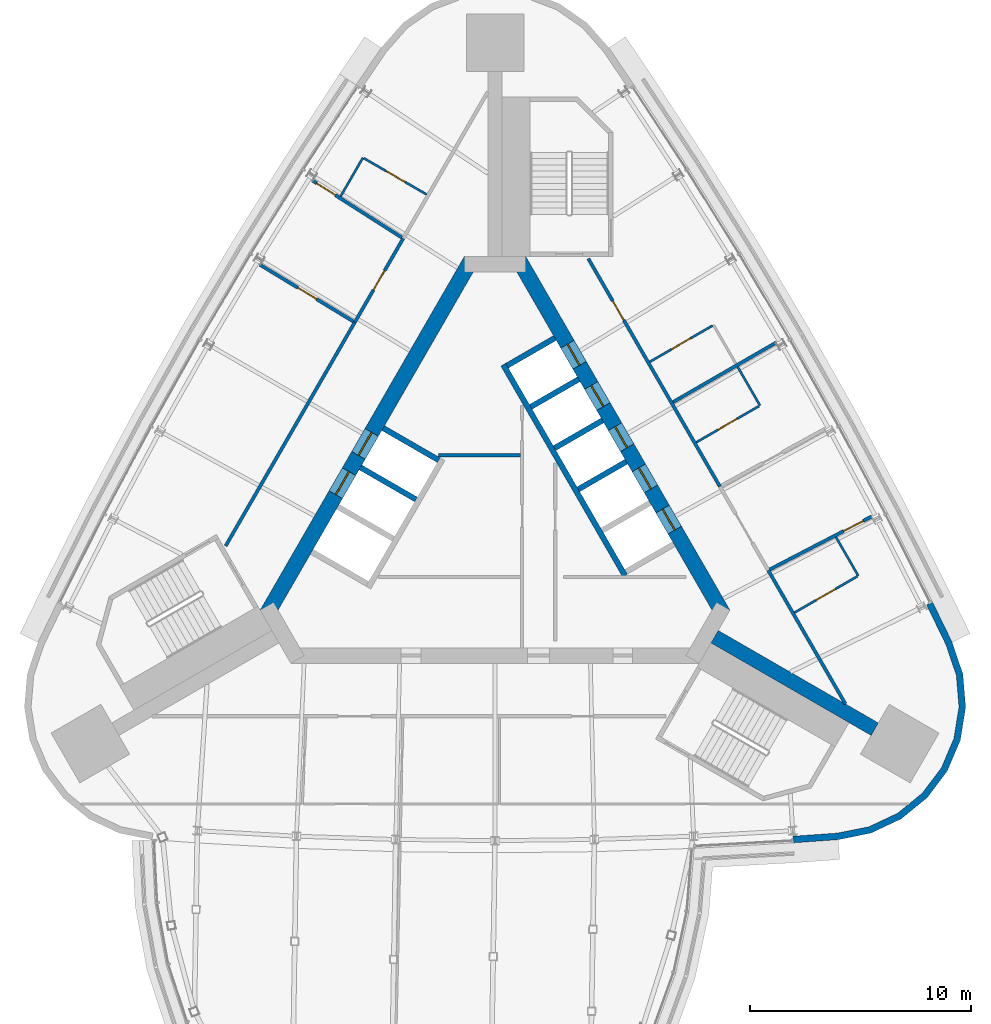
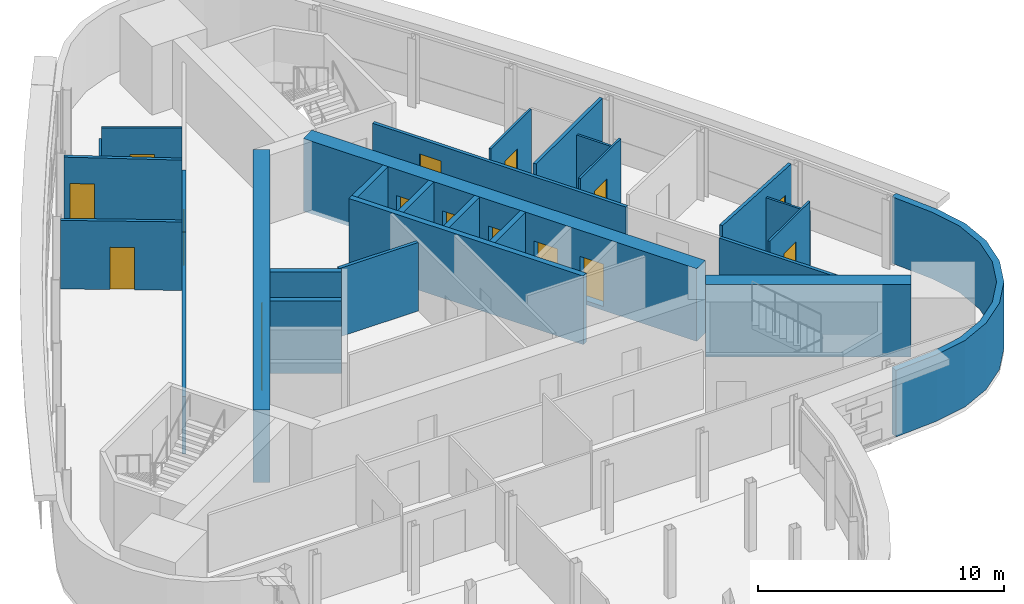
# One storey, part 10 of 14: 27 walls, 16 doors, 16 openings.
"""IFC4 building model written with IfcOpenShell, lengths in metres."""

from ifc_helpers import new_model, si_unit, direction, frame, frame_2d, origin, place, context, subcontext, project, spatial, polyline, rectangle, outline, extrude, material, layer, layer_set, type_object, element, fill, save


model = new_model("IFC4")

# Units and contexts
model_context = context("Model", 3, precision=1e-05, world=origin(), true_north=direction((0.0, 1.0)))
body_context = subcontext(model_context, "Body", "Model", "MODEL_VIEW")
ifc_project = project(units=[si_unit("LENGTHUNIT", "METRE"), si_unit("AREAUNIT", "SQUARE_METRE"), si_unit("VOLUMEUNIT", "CUBIC_METRE"), si_unit("PLANEANGLEUNIT", "RADIAN"), si_unit("MASSUNIT", "GRAM", prefix="KILO")], contexts=[model_context])

# Site, building, storey
site_placement = place(None, origin())
site = spatial("IfcSite", under=ifc_project, at=site_placement, CompositionType="ELEMENT")
building_placement = place(site_placement, origin())
building = spatial("IfcBuilding", under=site, at=building_placement, Name="Noor Cloister Tower", CompositionType="ELEMENT")
storey_placement = place(building_placement, frame((0.0, 0.0, 222.0)))
storey = spatial("IfcBuildingStorey", under=building, at=storey_placement, Name="L57", CompositionType="ELEMENT", Elevation=222.0)

# Walls
ifc_material_1 = material(Name="Concrete C60/75", Category="concrete")
ifc_layer_1 = layer(ifc_material_1, 0.64990234375)
ifc_layer_set_1 = layer_set([ifc_layer_1], Name="Buttress wall 650 C60/75")
wall_type_1 = type_object("IfcWallType", Name="Buttress wall 650 C60/75", PredefinedType="SHEAR", material=ifc_layer_set_1)
wall_1_placement = place(storey_placement, frame((9.921630859375, -5.728271484375, -0.199951171875), z_axis=(0.0, 0.0, 1.0), x_axis=(0.866030911543, -0.499990460161, 0.0)))
element("IfcWall", 1, at=wall_1_placement, inside=storey, type_object=wall_type_1, Name="Buttress wall SE L57", PredefinedType="SHEAR", context=body_context, shape_type="SweptSolid", body=[
    extrude(rectangle(XDim=8.358642578125, YDim=0.64990234375, at=frame_2d((4.17919921875, 0.0))), origin(), (0.0, 0.0, 1.0), 3.599853515625),
])
ifc_material_2 = material(Name="Concrete C30/37", Category="concrete")
ifc_layer_2 = layer(ifc_material_2, 0.14990234375)
ifc_layer_set_2 = layer_set([ifc_layer_2], Name="Core partition 150 C30/37")
wall_type_2 = type_object("IfcWallType", Name="Core partition 150 C30/37", PredefinedType="PARTITIONING", material=ifc_layer_set_2)
wall_2_placement = place(storey_placement, frame((-2.55126953125, 2.4716796875, 0.0), z_axis=(0.0, 0.0, 1.0), x_axis=(1.0, 0.0, 0.0)))
element("IfcWall", 2, at=wall_2_placement, inside=storey, type_object=wall_type_2, Name="Core room partition L57 2", PredefinedType="PARTITIONING", context=body_context, shape_type="SweptSolid", body=[
    extrude(rectangle(XDim=3.697509765625, YDim=0.14990234375, at=frame_2d((1.8486328125, 0.0))), origin(), (0.0, 0.0, 1.0), 3.39990234375),
])

# Wall, openings, doors
ifc_material_3 = material(Name="Concrete C60/75", Category="concrete")
ifc_layer_3 = layer(ifc_material_3, 0.699951171875)
ifc_layer_set_3 = layer_set([ifc_layer_3], Name="Core wall 700 C60/75")
wall_type_3 = type_object("IfcWallType", Name="Core wall 700 C60/75", PredefinedType="SHEAR", material=ifc_layer_set_3)
wall_3_placement = place(storey_placement, frame((10.311279296875, -4.703125, -0.199951171875), z_axis=(0.0, 0.0, 1.0), x_axis=(-0.500001446645, 0.866024568562, 0.0)))
wall_3 = element("IfcWall", 3, at=wall_3_placement, inside=storey, type_object=wall_type_3, Name="Core wall L57 3", PredefinedType="SHEAR", context=body_context, shape_type="SweptSolid", body=[
    extrude(rectangle(XDim=18.45751953125, YDim=0.699951171875, at=frame_2d((9.228759765625, 0.0))), origin(), (0.0, 0.0, 1.0), 3.599853515625),
])
opening_1_placement = place(wall_3_placement, frame((4.378662109375, 0.0, 0.199951171875)))
opening_1 = element("IfcOpeningElement", 4, at=opening_1_placement, cuts=wall_3, Name="Opening L57-HR1", PredefinedType="OPENING", context=body_context, shape_type="SweptSolid", body=[
    extrude(rectangle(XDim=1.10009765625, YDim=2.10009765625, at=frame_2d((0.550048828125, 1.050048828125))), frame((0.0, 0.35986328125, 0.0), z_axis=(0.0, -1.0, 0.0), x_axis=(1.0, 0.0, 0.0)), (0.0, 0.0, 1.0), 0.719970703125),
])
opening_2_placement = place(wall_3_placement, frame((6.52880859375, 0.0, 0.199951171875)))
opening_2 = element("IfcOpeningElement", 5, at=opening_2_placement, cuts=wall_3, Name="Opening L57-HR2", PredefinedType="OPENING", context=body_context, shape_type="SweptSolid", body=[
    extrude(rectangle(XDim=1.10009765625, YDim=2.10009765625, at=frame_2d((0.550048828125, 1.050048828125))), frame((0.0, 0.35986328125, 0.0), z_axis=(0.0, -1.0, 0.0), x_axis=(1.0, 0.0, 0.0)), (0.0, 0.0, 1.0), 0.719970703125),
])
opening_3_placement = place(wall_3_placement, frame((8.6787109375, 0.0, 0.199951171875)))
opening_3 = element("IfcOpeningElement", 6, at=opening_3_placement, cuts=wall_3, Name="Opening L57-HR3", PredefinedType="OPENING", context=body_context, shape_type="SweptSolid", body=[
    extrude(rectangle(XDim=1.10009765625, YDim=2.10009765625, at=frame_2d((0.550048828125, 1.050048828125))), frame((0.0, 0.35986328125, 0.0), z_axis=(0.0, -1.0, 0.0), x_axis=(1.0, 0.0, 0.0)), (0.0, 0.0, 1.0), 0.719970703125),
])
opening_4_placement = place(wall_3_placement, frame((10.82861328125, 0.0, 0.199951171875)))
opening_4 = element("IfcOpeningElement", 7, at=opening_4_placement, cuts=wall_3, Name="Opening L57-HR4", PredefinedType="OPENING", context=body_context, shape_type="SweptSolid", body=[
    extrude(rectangle(XDim=1.10009765625, YDim=2.10009765625, at=frame_2d((0.550048828125, 1.050048828125))), frame((0.0, 0.35986328125, 0.0), z_axis=(0.0, -1.0, 0.0), x_axis=(1.0, 0.0, 0.0)), (0.0, 0.0, 1.0), 0.719970703125),
])
opening_5_placement = place(wall_3_placement, frame((12.978759765625, 0.0, 0.199951171875)))
opening_5 = element("IfcOpeningElement", 8, at=opening_5_placement, cuts=wall_3, Name="Opening L57-HR5", PredefinedType="OPENING", context=body_context, shape_type="SweptSolid", body=[
    extrude(rectangle(XDim=1.10009765625, YDim=2.10009765625, at=frame_2d((0.550048828125, 1.050048828125))), frame((0.0, 0.35986328125, 0.0), z_axis=(0.0, -1.0, 0.0), x_axis=(1.0, 0.0, 0.0)), (0.0, 0.0, 1.0), 0.719970703125),
])
ifc_material_4 = material(Name="Stainless steel", Category="steel")
door_type_1 = type_object("IfcDoorType", Name="Lift landing door 1100 x 2100", OperationType="DOUBLE_DOOR_SLIDING", PredefinedType="DOOR", material=ifc_material_4)
door_1_placement = place(opening_1_placement, origin())
door_1 = element("IfcDoor", 9, at=door_1_placement, inside=storey, type_object=door_type_1, Name="Landing door HR1 L57", OperationType="DOUBLE_DOOR_SLIDING", OverallHeight=2.10009765625, OverallWidth=1.10009765625, PredefinedType="DOOR", context=body_context, shape_type="SweptSolid", body=[
    extrude(rectangle(XDim=1.10009765625, YDim=2.10009765625, at=frame_2d((0.550048828125, 1.050048828125))), frame((0.0, 0.02490234375, 0.0), z_axis=(0.0, -1.0, 0.0), x_axis=(1.0, 0.0, 0.0)), (0.0, 0.0, 1.0), 0.050048828125),
])
fill(opening_1, door_1)
door_2_placement = place(opening_2_placement, origin())
door_2 = element("IfcDoor", 10, at=door_2_placement, inside=storey, type_object=door_type_1, Name="Landing door HR2 L57", OperationType="DOUBLE_DOOR_SLIDING", OverallHeight=2.10009765625, OverallWidth=1.10009765625, PredefinedType="DOOR", context=body_context, shape_type="SweptSolid", body=[
    extrude(rectangle(XDim=1.10009765625, YDim=2.10009765625, at=frame_2d((0.550048828125, 1.050048828125))), frame((0.0, 0.02490234375, 0.0), z_axis=(0.0, -1.0, 0.0), x_axis=(1.0, 0.0, 0.0)), (0.0, 0.0, 1.0), 0.050048828125),
])
fill(opening_2, door_2)
door_3_placement = place(opening_3_placement, origin())
door_3 = element("IfcDoor", 11, at=door_3_placement, inside=storey, type_object=door_type_1, Name="Landing door HR3 L57", OperationType="DOUBLE_DOOR_SLIDING", OverallHeight=2.10009765625, OverallWidth=1.10009765625, PredefinedType="DOOR", context=body_context, shape_type="SweptSolid", body=[
    extrude(rectangle(XDim=1.10009765625, YDim=2.10009765625, at=frame_2d((0.550048828125, 1.050048828125))), frame((0.0, 0.02490234375, 0.0), z_axis=(0.0, -1.0, 0.0), x_axis=(1.0, 0.0, 0.0)), (0.0, 0.0, 1.0), 0.050048828125),
])
fill(opening_3, door_3)
door_4_placement = place(opening_4_placement, origin())
door_4 = element("IfcDoor", 12, at=door_4_placement, inside=storey, type_object=door_type_1, Name="Landing door HR4 L57", OperationType="DOUBLE_DOOR_SLIDING", OverallHeight=2.10009765625, OverallWidth=1.10009765625, PredefinedType="DOOR", context=body_context, shape_type="SweptSolid", body=[
    extrude(rectangle(XDim=1.10009765625, YDim=2.10009765625, at=frame_2d((0.550048828125, 1.050048828125))), frame((0.0, 0.02490234375, 0.0), z_axis=(0.0, -1.0, 0.0), x_axis=(1.0, 0.0, 0.0)), (0.0, 0.0, 1.0), 0.050048828125),
])
fill(opening_4, door_4)
door_5_placement = place(opening_5_placement, origin())
door_5 = element("IfcDoor", 13, at=door_5_placement, inside=storey, type_object=door_type_1, Name="Landing door HR5 L57", OperationType="DOUBLE_DOOR_SLIDING", OverallHeight=2.10009765625, OverallWidth=1.10009765625, PredefinedType="DOOR", context=body_context, shape_type="SweptSolid", body=[
    extrude(rectangle(XDim=1.10009765625, YDim=2.10009765625, at=frame_2d((0.550048828125, 1.050048828125))), frame((0.0, 0.02490234375, 0.0), z_axis=(0.0, -1.0, 0.0), x_axis=(1.0, 0.0, 0.0)), (0.0, 0.0, 1.0), 0.050048828125),
])
fill(opening_5, door_5)

wall_4_placement = place(storey_placement, frame((-1.08251953125, 11.281494140625, -0.199951171875), z_axis=(0.0, 0.0, 1.0), x_axis=(-0.500001446645, -0.866024568562, 0.0)))
wall_4 = element("IfcWall", 14, at=wall_4_placement, inside=storey, type_object=wall_type_3, Name="Core wall L57 5", PredefinedType="SHEAR", context=body_context, shape_type="SweptSolid", body=[
    extrude(rectangle(XDim=18.45751953125, YDim=0.699951171875, at=frame_2d((9.228759765625, 0.0))), origin(), (0.0, 0.0, 1.0), 3.599853515625),
])
opening_6_placement = place(wall_4_placement, frame((8.978759765625, 0.0, 0.199951171875)))
opening_6 = element("IfcOpeningElement", 15, at=opening_6_placement, cuts=wall_4, Name="Opening L57-FF1", PredefinedType="OPENING", context=body_context, shape_type="SweptSolid", body=[
    extrude(rectangle(XDim=1.199951171875, YDim=2.10009765625, at=frame_2d((0.60009765625, 1.050048828125))), frame((0.0, 0.35986328125, 0.0), z_axis=(0.0, -1.0, 0.0), x_axis=(1.0, 0.0, 0.0)), (0.0, 0.0, 1.0), 0.719970703125),
])
opening_7_placement = place(wall_4_placement, frame((11.02880859375, 0.0, 0.199951171875)))
opening_7 = element("IfcOpeningElement", 16, at=opening_7_placement, cuts=wall_4, Name="Opening L57-FF2", PredefinedType="OPENING", context=body_context, shape_type="SweptSolid", body=[
    extrude(rectangle(XDim=1.199951171875, YDim=2.10009765625, at=frame_2d((0.60009765625, 1.050048828125))), frame((0.0, 0.35986328125, 0.0), z_axis=(0.0, -1.0, 0.0), x_axis=(1.0, 0.0, 0.0)), (0.0, 0.0, 1.0), 0.719970703125),
])
ifc_material_5 = material(Name="Stainless steel", Category="steel")
door_type_2 = type_object("IfcDoorType", Name="Lift landing door 1200 x 2100", OperationType="DOUBLE_DOOR_SLIDING", PredefinedType="DOOR", material=ifc_material_5)
door_6_placement = place(opening_6_placement, origin())
door_6 = element("IfcDoor", 17, at=door_6_placement, inside=storey, type_object=door_type_2, Name="Landing door FF1 L57", OperationType="DOUBLE_DOOR_SLIDING", OverallHeight=2.10009765625, OverallWidth=1.199951171875, PredefinedType="DOOR", context=body_context, shape_type="SweptSolid", body=[
    extrude(rectangle(XDim=1.199951171875, YDim=2.10009765625, at=frame_2d((0.60009765625, 1.050048828125))), frame((0.0, 0.02490234375, 0.0), z_axis=(0.0, -1.0, 0.0), x_axis=(1.0, 0.0, 0.0)), (0.0, 0.0, 1.0), 0.050048828125),
])
fill(opening_6, door_6)
door_7_placement = place(opening_7_placement, origin())
door_7 = element("IfcDoor", 18, at=door_7_placement, inside=storey, type_object=door_type_2, Name="Landing door FF2 L57", OperationType="DOUBLE_DOOR_SLIDING", OverallHeight=2.10009765625, OverallWidth=1.199951171875, PredefinedType="DOOR", context=body_context, shape_type="SweptSolid", body=[
    extrude(rectangle(XDim=1.199951171875, YDim=2.10009765625, at=frame_2d((0.60009765625, 1.050048828125))), frame((0.0, 0.02490234375, 0.0), z_axis=(0.0, -1.0, 0.0), x_axis=(1.0, 0.0, 0.0)), (0.0, 0.0, 1.0), 0.050048828125),
])
fill(opening_7, door_7)

# Wall
ifc_material_6 = material(Name="Fire-rated gypsum board partition on steel studs, 150 mm", Category="steel")
ifc_layer_4 = layer(ifc_material_6, 0.14990234375)
ifc_layer_set_4 = layer_set([ifc_layer_4], Name="Fire lobby wall 150")
wall_type_4 = type_object("IfcWallType", Name="Fire lobby wall 150", PredefinedType="PARTITIONING", material=ifc_layer_set_4)
wall_5_placement = place(storey_placement, frame((-6.33837890625, 8.47802734375, 0.0), z_axis=(0.0, 0.0, 1.0), x_axis=(-0.499993497815, -0.86602915779, 0.0)))
element("IfcWall", 19, at=wall_5_placement, inside=storey, type_object=wall_type_4, Name="Wall L57-W22", PredefinedType="PARTITIONING", context=body_context, shape_type="SweptSolid", body=[
    extrude(rectangle(XDim=11.669677734375, YDim=0.14990234375, at=frame_2d((5.8349609375, 0.0))), origin(), (0.0, 0.0, 1.0), 2.85205078125),
])

# Wall, opening, door
wall_6_placement = place(storey_placement, frame((-4.149658203125, 12.26904296875, 0.0), z_axis=(0.0, 0.0, 1.0), x_axis=(-0.499996027077, -0.86602769754, 0.0)))
wall_6 = element("IfcWall", 20, at=wall_6_placement, inside=storey, type_object=wall_type_4, Name="Wall L57-W25", PredefinedType="PARTITIONING", context=body_context, shape_type="SweptSolid", body=[
    extrude(rectangle(XDim=4.37744140625, YDim=0.14990234375, at=frame_2d((2.188720703125, 0.0))), origin(), (0.0, 0.0, 1.0), 2.85205078125),
])
opening_8_placement = place(wall_6_placement, frame((1.688720703125, 0.0, 0.0)))
opening_8 = element("IfcOpeningElement", 21, at=opening_8_placement, cuts=wall_6, Name="Opening L57-014", PredefinedType="OPENING", context=body_context, shape_type="SweptSolid", body=[
    extrude(rectangle(XDim=1.0, YDim=2.10009765625, at=frame_2d((0.5, 1.050048828125))), frame((0.0, 0.0849609375, 0.0), z_axis=(0.0, -1.0, 0.0), x_axis=(1.0, 0.0, 0.0)), (0.0, 0.0, 1.0), 0.169921875),
])
ifc_material_7 = material(Name="Timber door leaf with steel frame", Category="steel")
door_type_3 = type_object("IfcDoorType", Name="Fire lobby door 1000", OperationType="NOTDEFINED", PredefinedType="DOOR", material=ifc_material_7)
door_8_placement = place(opening_8_placement, origin())
door_8 = element("IfcDoor", 22, at=door_8_placement, inside=storey, type_object=door_type_3, Name="Door L57-014", OperationType="SINGLE_SWING_RIGHT", OverallHeight=2.10009765625, OverallWidth=1.0, PredefinedType="DOOR", context=body_context, shape_type="SweptSolid", body=[
    extrude(rectangle(XDim=1.0, YDim=2.10009765625, at=frame_2d((0.5, 1.050048828125))), frame((0.0, 0.02490234375, 0.0), z_axis=(0.0, -1.0, 0.0), x_axis=(1.0, 0.0, 0.0)), (0.0, 0.0, 1.0), 0.050048828125),
])
fill(opening_8, door_8)

# Wall
ifc_material_8 = material(Name="Gypsum board partition on steel studs, 150 mm", Category="steel")
ifc_layer_5 = layer(ifc_material_8, 0.14990234375)
ifc_layer_set_5 = layer_set([ifc_layer_5], Name="Flat wall 150")
wall_type_5 = type_object("IfcWallType", Name="Flat wall 150", PredefinedType="PARTITIONING", material=ifc_layer_set_5)
wall_7_placement = place(storey_placement, frame((15.83203125, -8.765380859375, 0.0), z_axis=(0.0, 0.0, 1.0), x_axis=(-0.500009302692, 0.866020032806, 0.0)))
element("IfcWall", 23, at=wall_7_placement, inside=storey, type_object=wall_type_5, Name="Wall L57-W01", PredefinedType="PARTITIONING", context=body_context, shape_type="SweptSolid", body=[
    extrude(rectangle(XDim=6.974365234375, YDim=0.14990234375, at=frame_2d((3.4873046875, 0.0))), origin(), (0.0, 0.0, 1.0), 2.85205078125),
])

# Wall, opening, door
wall_8_placement = place(storey_placement, frame((10.16064453125, 1.0576171875, 0.0), z_axis=(0.0, 0.0, 1.0), x_axis=(-0.500000866012, 0.866024903792, 0.0)))
wall_8 = element("IfcWall", 24, at=wall_8_placement, inside=storey, type_object=wall_type_5, Name="Wall L57-W02", PredefinedType="PARTITIONING", context=body_context, shape_type="SweptSolid", body=[
    extrude(rectangle(XDim=11.89208984375, YDim=0.14990234375, at=frame_2d((5.946044921875, 0.0))), origin(), (0.0, 0.0, 1.0), 2.85205078125),
])
opening_9_placement = place(wall_8_placement, frame((8.677978515625, 0.0, 0.0)))
opening_9 = element("IfcOpeningElement", 25, at=opening_9_placement, cuts=wall_8, Name="Opening L57-007", PredefinedType="OPENING", context=body_context, shape_type="SweptSolid", body=[
    extrude(rectangle(XDim=1.0, YDim=2.10009765625, at=frame_2d((0.5, 1.050048828125))), frame((0.0, 0.0849609375, 0.0), z_axis=(0.0, -1.0, 0.0), x_axis=(1.0, 0.0, 0.0)), (0.0, 0.0, 1.0), 0.169921875),
])
ifc_material_9 = material(Name="Timber door leaf with steel frame", Category="steel")
door_type_4 = type_object("IfcDoorType", Name="Flat entrance door 1000", OperationType="NOTDEFINED", PredefinedType="DOOR", material=ifc_material_9)
door_9_placement = place(opening_9_placement, origin())
door_9 = element("IfcDoor", 26, at=door_9_placement, inside=storey, type_object=door_type_4, Name="Door L57-007", OperationType="SINGLE_SWING_LEFT", OverallHeight=2.10009765625, OverallWidth=1.0, PredefinedType="DOOR", context=body_context, shape_type="SweptSolid", body=[
    extrude(rectangle(XDim=1.0, YDim=2.10009765625, at=frame_2d((0.5, 1.050048828125))), frame((0.0, 0.02490234375, 0.0), z_axis=(0.0, -1.0, 0.0), x_axis=(1.0, 0.0, 0.0)), (0.0, 0.0, 1.0), 0.050048828125),
])
fill(opening_9, door_9)

wall_9_placement = place(storey_placement, frame((17.02587890625, -0.29248046875, 0.0), z_axis=(0.0, 0.0, 1.0), x_axis=(-0.887303639302, -0.461185701947, 0.0)))
wall_9 = element("IfcWall", 27, at=wall_9_placement, inside=storey, type_object=wall_type_5, Name="Wall L57-W03", PredefinedType="PARTITIONING", context=body_context, shape_type="SweptSolid", body=[
    extrude(rectangle(XDim=5.20068359375, YDim=0.14990234375, at=frame_2d((2.600341796875, 0.0))), origin(), (0.0, 0.0, 1.0), 3.39990234375),
])
opening_10_placement = place(wall_9_placement, frame((0.43603515625, 0.0, 0.0)))
opening_10 = element("IfcOpeningElement", 28, at=opening_10_placement, cuts=wall_9, Name="Opening L57-003", PredefinedType="OPENING", context=body_context, shape_type="SweptSolid", body=[
    extrude(rectangle(XDim=1.0, YDim=2.10009765625, at=frame_2d((0.5, 1.050048828125))), frame((0.0, 0.0849609375, 0.0), z_axis=(0.0, -1.0, 0.0), x_axis=(1.0, 0.0, 0.0)), (0.0, 0.0, 1.0), 0.169921875),
])
door_10_placement = place(opening_10_placement, origin())
door_10 = element("IfcDoor", 29, at=door_10_placement, inside=storey, type_object=door_type_4, Name="Door L57-003", OperationType="SINGLE_SWING_LEFT", OverallHeight=2.10009765625, OverallWidth=1.0, PredefinedType="DOOR", context=body_context, shape_type="SweptSolid", body=[
    extrude(rectangle(XDim=1.0, YDim=2.10009765625, at=frame_2d((0.5, 1.050048828125))), frame((0.0, 0.02490234375, 0.0), z_axis=(0.0, -1.0, 0.0), x_axis=(1.0, 0.0, 0.0)), (0.0, 0.0, 1.0), 0.050048828125),
])
fill(opening_10, door_10)

# Wall
wall_10_placement = place(storey_placement, frame((12.70703125, 7.5673828125, 0.0), z_axis=(0.0, 0.0, 1.0), x_axis=(-0.866016468327, -0.500015476347, 0.0)))
element("IfcWall", 30, at=wall_10_placement, inside=storey, type_object=wall_type_5, Name="Wall L57-W10", PredefinedType="PARTITIONING", context=body_context, shape_type="SweptSolid", body=[
    extrude(rectangle(XDim=5.385009765625, YDim=0.14990234375, at=frame_2d((2.6923828125, 0.0))), origin(), (0.0, 0.0, 1.0), 3.39990234375),
])

# Wall, opening, door
wall_11_placement = place(storey_placement, frame((-8.259765625, 14.89111328125, 0.0), z_axis=(0.0, 0.0, 1.0), x_axis=(0.843047331612, -0.537839378125, 0.0)))
wall_11 = element("IfcWall", 31, at=wall_11_placement, inside=storey, type_object=wall_type_5, Name="Wall L57-W23", PredefinedType="PARTITIONING", context=body_context, shape_type="SweptSolid", body=[
    extrude(rectangle(XDim=4.80029296875, YDim=0.14990234375, at=frame_2d((2.400146484375, 0.0))), origin(), (0.0, 0.0, 1.0), 3.39990234375),
])
opening_11_placement = place(wall_11_placement, frame((0.23583984375, 0.0, 0.0)))
opening_11 = element("IfcOpeningElement", 32, at=opening_11_placement, cuts=wall_11, Name="Opening L57-016", PredefinedType="OPENING", context=body_context, shape_type="SweptSolid", body=[
    extrude(rectangle(XDim=1.0, YDim=2.10009765625, at=frame_2d((0.5, 1.050048828125))), frame((0.0, 0.0849609375, 0.0), z_axis=(0.0, -1.0, 0.0), x_axis=(1.0, 0.0, 0.0)), (0.0, 0.0, 1.0), 0.169921875),
])
door_11_placement = place(opening_11_placement, origin())
door_11 = element("IfcDoor", 33, at=door_11_placement, inside=storey, type_object=door_type_4, Name="Door L57-016", OperationType="SINGLE_SWING_RIGHT", OverallHeight=2.10009765625, OverallWidth=1.0, PredefinedType="DOOR", context=body_context, shape_type="SweptSolid", body=[
    extrude(rectangle(XDim=1.0, YDim=2.10009765625, at=frame_2d((0.5, 1.050048828125))), frame((0.0, 0.02490234375, 0.0), z_axis=(0.0, -1.0, 0.0), x_axis=(1.0, 0.0, 0.0)), (0.0, 0.0, 1.0), 0.050048828125),
])
fill(opening_11, door_11)

wall_12_placement = place(storey_placement, frame((-10.625732421875, 11.081787109375, 0.0), z_axis=(0.0, 0.0, 1.0), x_axis=(0.854742891139, -0.519051625609, 0.0)))
wall_12 = element("IfcWall", 34, at=wall_12_placement, inside=storey, type_object=wall_type_5, Name="Wall L57-W24", PredefinedType="PARTITIONING", context=body_context, shape_type="SweptSolid", body=[
    extrude(rectangle(XDim=4.941162109375, YDim=0.14990234375, at=frame_2d((2.470703125, 0.0))), origin(), (0.0, 0.0, 1.0), 3.39990234375),
])
opening_12_placement = place(wall_12_placement, frame((2.008056640625, 0.0, 0.0)))
opening_12 = element("IfcOpeningElement", 35, at=opening_12_placement, cuts=wall_12, Name="Opening L57-017", PredefinedType="OPENING", context=body_context, shape_type="SweptSolid", body=[
    extrude(rectangle(XDim=1.0, YDim=2.10009765625, at=frame_2d((0.5, 1.050048828125))), frame((0.0, 0.0849609375, 0.0), z_axis=(0.0, -1.0, 0.0), x_axis=(1.0, 0.0, 0.0)), (0.0, 0.0, 1.0), 0.169921875),
])
ifc_material_10 = material(Name="Timber door leaf with steel frame", Category="steel")
door_type_5 = type_object("IfcDoorType", Name="Interior door 1000 FD60", OperationType="NOTDEFINED", PredefinedType="DOOR", material=ifc_material_10)
door_12_placement = place(opening_12_placement, origin())
door_12 = element("IfcDoor", 36, at=door_12_placement, inside=storey, type_object=door_type_5, Name="Door L57-017", OperationType="SINGLE_SWING_LEFT", OverallHeight=2.10009765625, OverallWidth=1.0, PredefinedType="DOOR", context=body_context, shape_type="SweptSolid", body=[
    extrude(rectangle(XDim=1.0, YDim=2.10009765625, at=frame_2d((0.5, 1.050048828125))), frame((0.0, 0.02490234375, 0.0), z_axis=(0.0, -1.0, 0.0), x_axis=(1.0, 0.0, 0.0)), (0.0, 0.0, 1.0), 0.050048828125),
])
fill(opening_12, door_12)

# Walls
ifc_material_11 = material(Name="Limestone", Category="masonry")
ifc_layer_6 = layer(ifc_material_11, 0.300048828125)
ifc_layer_set_6 = layer_set([ifc_layer_6], Name="Limestone cladding 300")
wall_type_6 = type_object("IfcWallType", Name="Limestone cladding 300", PredefinedType="NOTDEFINED", material=ifc_layer_set_6)
wall_13_placement = place(storey_placement, origin())
element("IfcWall", 37, at=wall_13_placement, inside=storey, type_object=wall_type_6, Name="Limestone pier cladding L57 2.1", PredefinedType="NOTDEFINED", context=body_context, shape_type="SweptSolid", body=[
    extrude(outline(polyline([(13.489990234375, -15.04248046875), (15.50732421875, -14.898193359375), (16.988037109375, -14.6015625), (18.354248046875, -13.957763671875), (19.52587890625, -13.00439453125), (20.433837890625, -11.79736328125), (21.02490234375, -10.40771484375), (21.264892578125, -8.91650390625), (21.139404296875, -7.411376953125), (20.65576171875, -5.98046875), (19.772216796875, -4.16162109375), (19.50244140625, -4.292724609375), (20.377685546875, -6.094482421875), (20.843505859375, -7.47265625), (20.962890625, -8.905029296875), (20.734619140625, -10.323974609375), (20.171875, -11.646240234375), (19.30810546875, -12.794677734375), (18.193359375, -13.701904296875), (16.893310546875, -14.314697265625), (15.467041015625, -14.600341796875), (13.46875, -14.7431640625), (13.489990234375, -15.04248046875)])), origin(), (0.0, 0.0, 1.0), 3.300048828125),
])
ifc_material_12 = material(Name="Gypsum board partition on steel studs, 100 mm", Category="steel")
ifc_layer_7 = layer(ifc_material_12, 0.10009765625)
ifc_layer_set_7 = layer_set([ifc_layer_7], Name="Partition 100")
wall_type_7 = type_object("IfcWallType", Name="Partition 100", PredefinedType="PARTITIONING", material=ifc_layer_set_7)
wall_14_placement = place(storey_placement, frame((15.402099609375, -1.220947265625, 0.0), z_axis=(0.0, 0.0, 1.0), x_axis=(0.499990325971, -0.866030989016, 0.0)))
element("IfcWall", 38, at=wall_14_placement, inside=storey, type_object=wall_type_7, Name="Wall L57-W06", PredefinedType="PARTITIONING", context=body_context, shape_type="SweptSolid", body=[
    extrude(rectangle(XDim=2.02490234375, YDim=0.10009765625, at=frame_2d((1.012451171875, 0.0))), origin(), (0.0, 0.0, 1.0), 2.85205078125),
])

# Wall, opening, door
wall_15_placement = place(storey_placement, frame((16.371337890625, -2.99951171875, 0.0), z_axis=(0.0, 0.0, 1.0), x_axis=(-0.866027924134, -0.499995634601, 0.0)))
wall_15 = element("IfcWall", 39, at=wall_15_placement, inside=storey, type_object=wall_type_7, Name="Wall L57-W07", PredefinedType="PARTITIONING", context=body_context, shape_type="SweptSolid", body=[
    extrude(rectangle(XDim=3.27490234375, YDim=0.10009765625, at=frame_2d((1.637451171875, 0.0))), origin(), (0.0, 0.0, 1.0), 3.39990234375),
])
opening_13_placement = place(wall_15_placement, frame((1.14990234375, 0.0, 0.0)))
opening_13 = element("IfcOpeningElement", 40, at=opening_13_placement, cuts=wall_15, Name="Opening L57-002", PredefinedType="OPENING", context=body_context, shape_type="SweptSolid", body=[
    extrude(rectangle(XDim=1.0, YDim=2.10009765625, at=frame_2d((0.5, 1.050048828125))), frame((0.0, 0.06005859375, 0.0), z_axis=(0.0, -1.0, 0.0), x_axis=(1.0, 0.0, 0.0)), (0.0, 0.0, 1.0), 0.1201171875),
])
ifc_material_13 = material(Name="Timber door leaf with steel frame", Category="steel")
door_type_6 = type_object("IfcDoorType", Name="Interior door 1000", OperationType="NOTDEFINED", PredefinedType="DOOR", material=ifc_material_13)
door_13_placement = place(opening_13_placement, origin())
door_13 = element("IfcDoor", 41, at=door_13_placement, inside=storey, type_object=door_type_6, Name="Door L57-002", OperationType="SINGLE_SWING_RIGHT", OverallHeight=2.10009765625, OverallWidth=1.0, PredefinedType="DOOR", context=body_context, shape_type="SweptSolid", body=[
    extrude(rectangle(XDim=1.0, YDim=2.10009765625, at=frame_2d((0.5, 1.050048828125))), frame((0.0, 0.02490234375, 0.0), z_axis=(0.0, -1.0, 0.0), x_axis=(1.0, 0.0, 0.0)), (0.0, 0.0, 1.0), 0.050048828125),
])
fill(opening_13, door_13)

# Wall
wall_16_placement = place(storey_placement, frame((10.96044921875, 6.472412109375, 0.0), z_axis=(0.0, 0.0, 1.0), x_axis=(0.499990325971, -0.866030989016, 0.0)))
element("IfcWall", 42, at=wall_16_placement, inside=storey, type_object=wall_type_7, Name="Wall L57-W08", PredefinedType="PARTITIONING", context=body_context, shape_type="SweptSolid", body=[
    extrude(rectangle(XDim=2.02490234375, YDim=0.10009765625, at=frame_2d((1.012451171875, 0.0))), origin(), (0.0, 0.0, 1.0), 2.85205078125),
])

# Wall, opening, door
wall_17_placement = place(storey_placement, frame((11.9296875, 4.693603515625, 0.0), z_axis=(0.0, 0.0, 1.0), x_axis=(-0.866027924134, -0.499995634601, 0.0)))
wall_17 = element("IfcWall", 43, at=wall_17_placement, inside=storey, type_object=wall_type_7, Name="Wall L57-W09", PredefinedType="PARTITIONING", context=body_context, shape_type="SweptSolid", body=[
    extrude(rectangle(XDim=3.27490234375, YDim=0.10009765625, at=frame_2d((1.637451171875, 0.0))), origin(), (0.0, 0.0, 1.0), 3.39990234375),
])
opening_14_placement = place(wall_17_placement, frame((1.14990234375, 0.0, 0.0)))
opening_14 = element("IfcOpeningElement", 44, at=opening_14_placement, cuts=wall_17, Name="Opening L57-004", PredefinedType="OPENING", context=body_context, shape_type="SweptSolid", body=[
    extrude(rectangle(XDim=1.0, YDim=2.10009765625, at=frame_2d((0.5, 1.050048828125))), frame((0.0, 0.06005859375, 0.0), z_axis=(0.0, -1.0, 0.0), x_axis=(1.0, 0.0, 0.0)), (0.0, 0.0, 1.0), 0.1201171875),
])
door_14_placement = place(opening_14_placement, origin())
door_14 = element("IfcDoor", 45, at=door_14_placement, inside=storey, type_object=door_type_6, Name="Door L57-004", OperationType="SINGLE_SWING_RIGHT", OverallHeight=2.10009765625, OverallWidth=1.0, PredefinedType="DOOR", context=body_context, shape_type="SweptSolid", body=[
    extrude(rectangle(XDim=1.0, YDim=2.10009765625, at=frame_2d((0.5, 1.050048828125))), frame((0.0, 0.02490234375, 0.0), z_axis=(0.0, -1.0, 0.0), x_axis=(1.0, 0.0, 0.0)), (0.0, 0.0, 1.0), 0.050048828125),
])
fill(opening_14, door_14)

wall_18_placement = place(storey_placement, frame((9.82958984375, 8.3310546875, 0.0), z_axis=(0.0, 0.0, 1.0), x_axis=(-0.865995643347, -0.500051543047, 0.0)))
wall_18 = element("IfcWall", 46, at=wall_18_placement, inside=storey, type_object=wall_type_7, Name="Wall L57-W12", PredefinedType="PARTITIONING", context=body_context, shape_type="SweptSolid", body=[
    extrude(rectangle(XDim=3.275146484375, YDim=0.10009765625, at=frame_2d((1.6376953125, 0.0))), origin(), (0.0, 0.0, 1.0), 3.39990234375),
])
opening_15_placement = place(wall_18_placement, frame((1.14990234375, 0.0, 0.0)))
opening_15 = element("IfcOpeningElement", 47, at=opening_15_placement, cuts=wall_18, Name="Opening L57-006", PredefinedType="OPENING", context=body_context, shape_type="SweptSolid", body=[
    extrude(rectangle(XDim=1.0, YDim=2.10009765625, at=frame_2d((0.5, 1.050048828125))), frame((0.0, 0.06005859375, 0.0), z_axis=(0.0, -1.0, 0.0), x_axis=(1.0, 0.0, 0.0)), (0.0, 0.0, 1.0), 0.1201171875),
])
door_15_placement = place(opening_15_placement, origin())
door_15 = element("IfcDoor", 48, at=door_15_placement, inside=storey, type_object=door_type_6, Name="Door L57-006", OperationType="SINGLE_SWING_RIGHT", OverallHeight=2.10009765625, OverallWidth=1.0, PredefinedType="DOOR", context=body_context, shape_type="SweptSolid", body=[
    extrude(rectangle(XDim=1.0, YDim=2.10009765625, at=frame_2d((0.5, 1.050048828125))), frame((0.0, 0.02490234375, 0.0), z_axis=(0.0, -1.0, 0.0), x_axis=(1.0, 0.0, 0.0)), (0.0, 0.0, 1.0), 0.050048828125),
])
fill(opening_15, door_15)

# Wall
wall_19_placement = place(storey_placement, frame((-6.981201171875, 14.16455078125, 0.0), z_axis=(0.0, 0.0, 1.0), x_axis=(0.500042536776, 0.866000843773, 0.0)))
element("IfcWall", 49, at=wall_19_placement, inside=storey, type_object=wall_type_7, Name="Wall L57-W26", PredefinedType="PARTITIONING", context=body_context, shape_type="SweptSolid", body=[
    extrude(rectangle(XDim=2.024658203125, YDim=0.10009765625, at=frame_2d((1.01220703125, 0.0))), origin(), (0.0, 0.0, 1.0), 2.85205078125),
])

# Wall, opening, door
wall_20_placement = place(storey_placement, frame((-5.925537109375, 15.89306640625, 0.0), z_axis=(0.0, 0.0, 1.0), x_axis=(0.866027924134, -0.499995634601, 0.0)))
wall_20 = element("IfcWall", 50, at=wall_20_placement, inside=storey, type_object=wall_type_7, Name="Wall L57-W27", PredefinedType="PARTITIONING", context=body_context, shape_type="SweptSolid", body=[
    extrude(rectangle(XDim=3.27490234375, YDim=0.10009765625, at=frame_2d((1.637451171875, 0.0))), origin(), (0.0, 0.0, 1.0), 3.39990234375),
])
opening_16_placement = place(wall_20_placement, frame((1.14990234375, 0.0, 0.0)))
opening_16 = element("IfcOpeningElement", 51, at=opening_16_placement, cuts=wall_20, Name="Opening L57-015", PredefinedType="OPENING", context=body_context, shape_type="SweptSolid", body=[
    extrude(rectangle(XDim=1.0, YDim=2.10009765625, at=frame_2d((0.5, 1.050048828125))), frame((0.0, 0.06005859375, 0.0), z_axis=(0.0, -1.0, 0.0), x_axis=(1.0, 0.0, 0.0)), (0.0, 0.0, 1.0), 0.1201171875),
])
door_16_placement = place(opening_16_placement, origin())
door_16 = element("IfcDoor", 52, at=door_16_placement, inside=storey, type_object=door_type_6, Name="Door L57-015", OperationType="SINGLE_SWING_LEFT", OverallHeight=2.10009765625, OverallWidth=1.0, PredefinedType="DOOR", context=body_context, shape_type="SweptSolid", body=[
    extrude(rectangle(XDim=1.0, YDim=2.10009765625, at=frame_2d((0.5, 1.050048828125))), frame((0.0, 0.02490234375, 0.0), z_axis=(0.0, -1.0, 0.0), x_axis=(1.0, 0.0, 0.0)), (0.0, 0.0, 1.0), 0.050048828125),
])
fill(opening_16, door_16)

# Walls
ifc_material_14 = material(Name="Concrete C60/75", Category="concrete")
ifc_layer_8 = layer(ifc_material_14, 0.25)
ifc_layer_set_8 = layer_set([ifc_layer_8], Name="Shaft wall 250 C60/75")
wall_type_8 = type_object("IfcWallType", Name="Shaft wall 250 C60/75", PredefinedType="PARTITIONING", material=ifc_layer_set_8)
wall_21_placement = place(storey_placement, frame((5.931396484375, 2.18310546875, -0.199951171875), z_axis=(0.0, 0.0, 1.0), x_axis=(-0.866047370643, -0.499961950354, 0.0)))
element("IfcWall", 53, at=wall_21_placement, inside=storey, type_object=wall_type_8, Name="Lift shaft wall L57 NE 3", PredefinedType="PARTITIONING", context=body_context, shape_type="SweptSolid", body=[
    extrude(rectangle(XDim=2.500244140625, YDim=0.25, at=frame_2d((1.25, 0.0))), origin(), (0.0, 0.0, 1.0), 3.599853515625),
])
for number, where, z_axis, x_axis, name in (
    (54, (4.856201171875, 4.045166015625, -0.199951171875), (0.0, 0.0, 1.0), (-0.866022959057, -0.500004234368, 0.0), "Lift shaft wall L57 NE 4"),
    (55, (3.78125, 5.906982421875, -0.199951171875), (0.0, 0.0, 1.0), (-0.866022959057, -0.500004234368, 0.0), "Lift shaft wall L57 NE 5"),
    (56, (2.706298828125, 7.76904296875, -0.199951171875), (0.0, 0.0, 1.0), (-0.866022959057, -0.500004234368, 0.0), "Lift shaft wall L57 NE 6"),
):
    element("IfcWall", number, at=place(storey_placement, frame(where, z_axis=z_axis, x_axis=x_axis)), inside=storey, type_object=wall_type_8, Name=name, PredefinedType="PARTITIONING", context=body_context, shape_type="SweptSolid", body=[
        extrude(rectangle(XDim=2.5, YDim=0.25, at=frame_2d((1.25, 0.0))), origin(), (0.0, 0.0, 1.0), 3.599853515625),
    ])
wall_22_placement = place(storey_placement, frame((5.870361328125, -2.96142578125, 0.0), z_axis=(0.0, 0.0, 1.0), x_axis=(-0.50000615651, 0.866021849293, 0.0)))
element("IfcWall", 57, at=wall_22_placement, inside=storey, type_object=wall_type_8, Name="Lift shaft back wall L57 NE", PredefinedType="PARTITIONING", context=body_context, shape_type="SweptSolid", body=[
    extrude(rectangle(XDim=10.999755859375, YDim=0.25, at=frame_2d((5.5, 0.0))), origin(), (0.0, 0.0, 1.0), 3.39990234375),
])
for number, where, z_axis, x_axis, name in (
    (58, (-5.056396484375, 3.69873046875, -0.199951171875), (0.0, 0.0, 1.0), (0.866032775405, -0.499987231761, 0.0), "Lift shaft wall L57 NW 3"),
    (59, (-6.081298828125, 1.92333984375, -0.199951171875), (0.0, 0.0, 1.0), (0.866032775405, -0.499987231761, 0.0), "Lift shaft wall L57 NW 4"),
):
    element("IfcWall", number, at=place(storey_placement, frame(where, z_axis=z_axis, x_axis=x_axis)), inside=storey, type_object=wall_type_8, Name=name, PredefinedType="PARTITIONING", context=body_context, shape_type="SweptSolid", body=[
        extrude(rectangle(XDim=2.89990234375, YDim=0.25, at=frame_2d((1.449951171875, 0.0))), origin(), (0.0, 0.0, 1.0), 3.599853515625),
    ])

save(model, "model.ifc")
